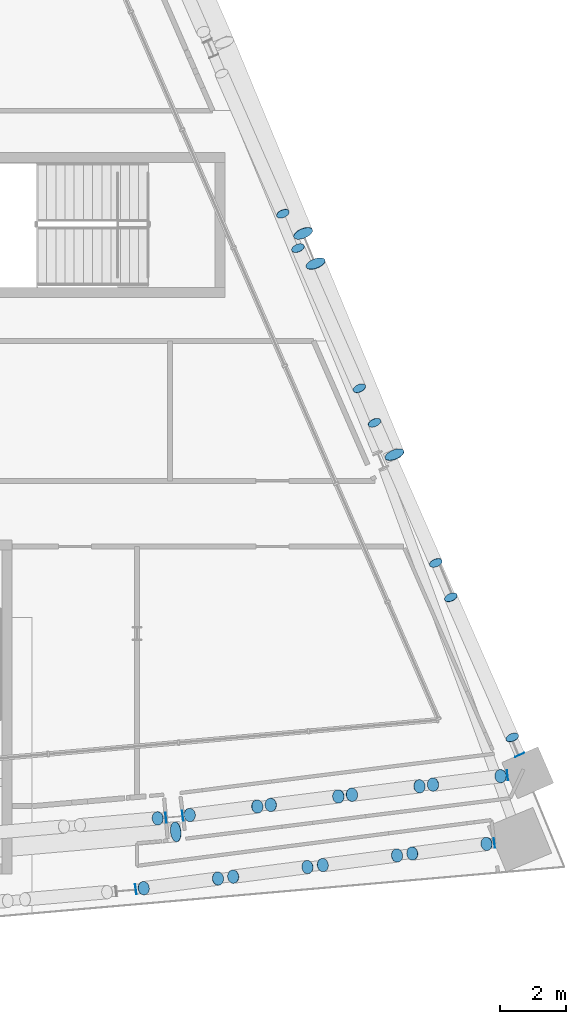
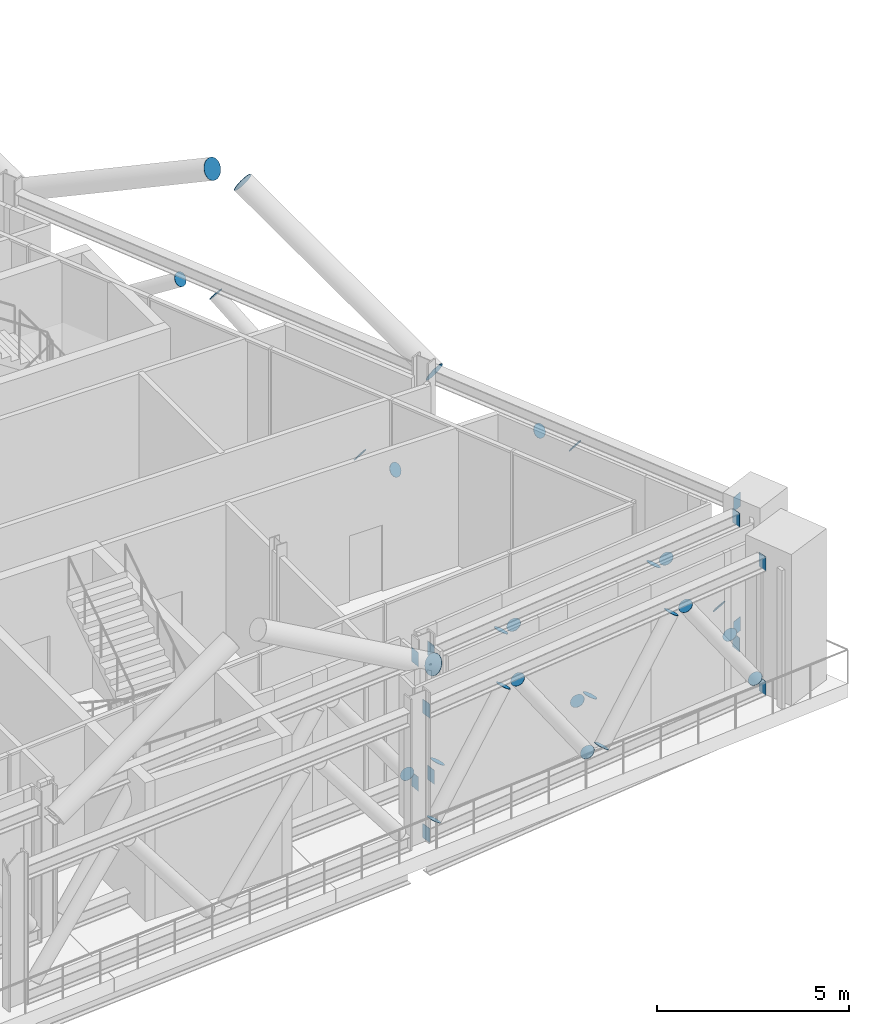
# One storey, part 28 of 35: 40 discrete accessories.
"""IFC4 building model written with IfcOpenShell, lengths in metres."""

from ifc_helpers import new_model, si_unit, direction, frame, origin, origin_2d, place, context, subcontext, project, spatial, rectangle, circle, extrude, material, material_profile, profile_set, type_object, element, save


model = new_model("IFC4")

# Units and contexts
model_context = context("Model", 3, precision=1e-05, world=origin(), true_north=direction((0.0, 1.0)))
body_context = subcontext(model_context, "Body", "Model", "MODEL_VIEW")
ifc_project = project(units=[si_unit("LENGTHUNIT", "METRE"), si_unit("AREAUNIT", "SQUARE_METRE"), si_unit("VOLUMEUNIT", "CUBIC_METRE"), si_unit("PLANEANGLEUNIT", "RADIAN"), si_unit("MASSUNIT", "GRAM", prefix="KILO")], contexts=[model_context])

# Site, building, storey
site_placement = place(None, origin())
site = spatial("IfcSite", under=ifc_project, at=site_placement, CompositionType="ELEMENT")
building_placement = place(site_placement, origin())
building = spatial("IfcBuilding", under=site, at=building_placement, Name="Wharfspan Tower", CompositionType="ELEMENT")
storey_placement = place(building_placement, frame((0.0, 0.0, 202.300049)))
storey = spatial("IfcBuildingStorey", under=building, at=storey_placement, Name="L50", CompositionType="ELEMENT", Elevation=202.300049)

# Discrete accessories
ifc_material_1 = material(Name="Steel S460NH", Category="steel")
ifc_material_profile_1 = material_profile(ifc_material_1, circle(Radius=0.203125, at=origin_2d()))
ifc_profile_set_1 = profile_set([ifc_material_profile_1], Name="Steel S460NH")
discrete_accessory_type_1 = type_object("IfcDiscreteAccessoryType", Name="End plate CHS 406x16", PredefinedType="BRACKET", material=ifc_profile_set_1)
discrete_accessory_1_placement = place(storey_placement, frame((72.625732, 5.878662, 0.569336), z_axis=(0.576018, 0.048002, -0.816026), x_axis=(-0.083046, 0.996542, 0.0)))
element("IfcDiscreteAccessory", 1, at=discrete_accessory_1_placement, inside=storey, type_object=discrete_accessory_type_1, Name="End plate CHS 406x16", PredefinedType="BRACKET", context=body_context, shape_type="SweptSolid", body=[
    extrude(circle(Radius=0.203125, at=origin_2d()), origin(), (0.0, 0.0, 1.0), 0.010254),
])
for number, where, z_axis, x_axis, name in (
    (2, (73.598145, 5.981201, 0.549805), (0.54259, 0.049326, 0.838548), (-0.090535, 0.995892, 0.0), "End plate CHS 406x16"),
    (3, (75.654053, 6.237793, 3.841797), (0.54259, 0.049326, 0.838548), (-0.090535, 0.995892, 0.0), "End plate CHS 406x16"),
    (4, (76.064941, 6.289062, 3.850098), (0.54259, 0.049326, -0.838548), (-0.090535, 0.995892, 0.0), "End plate CHS 406x16"),
):
    element("IfcDiscreteAccessory", number, at=place(storey_placement, frame(where, z_axis=z_axis, x_axis=x_axis)), inside=storey, type_object=discrete_accessory_type_1, Name=name, PredefinedType="BRACKET", context=body_context, shape_type="SweptSolid", body=[
        extrude(circle(Radius=0.203125, at=origin_2d()), origin(), (0.0, 0.0, 1.0), 0.01001),
    ])
for number, where, z_axis, x_axis, name in (
    (5, (78.12085, 6.545654, 0.558105), (0.524836, 0.049984, -0.849734), (-0.094807, 0.995498, 1e-06), "End plate CHS 406x16"),
    (6, (78.531738, 6.596924, 0.549805), (0.524836, 0.049984, 0.849734), (-0.094807, 0.995498, -1e-06), "End plate CHS 406x16"),
):
    element("IfcDiscreteAccessory", number, at=place(storey_placement, frame(where, z_axis=z_axis, x_axis=x_axis)), inside=storey, type_object=discrete_accessory_type_1, Name=name, PredefinedType="BRACKET", context=body_context, shape_type="SweptSolid", body=[
        extrude(circle(Radius=0.203125, at=origin_2d()), origin(), (0.0, 0.0, 1.0), 0.009766),
    ])
for number, where, z_axis, x_axis, name in (
    (7, (80.587402, 6.853516, 3.841797), (0.54259, 0.049326, 0.838548), (-0.090535, 0.995892, 0.0), "End plate CHS 406x16"),
    (8, (80.998291, 6.904785, 3.850098), (0.54259, 0.049326, -0.838548), (-0.090535, 0.995892, 0.0), "End plate CHS 406x16"),
):
    element("IfcDiscreteAccessory", number, at=place(storey_placement, frame(where, z_axis=z_axis, x_axis=x_axis)), inside=storey, type_object=discrete_accessory_type_1, Name=name, PredefinedType="BRACKET", context=body_context, shape_type="SweptSolid", body=[
        extrude(circle(Radius=0.203125, at=origin_2d()), origin(), (0.0, 0.0, 1.0), 0.01001),
    ])
discrete_accessory_2_placement = place(storey_placement, frame((83.054199, 7.161377, 0.558105), z_axis=(0.524836, 0.049984, -0.849734), x_axis=(-0.094807, 0.995498, 1e-06)))
element("IfcDiscreteAccessory", 9, at=discrete_accessory_2_placement, inside=storey, type_object=discrete_accessory_type_1, Name="End plate CHS 406x16", PredefinedType="BRACKET", context=body_context, shape_type="SweptSolid", body=[
    extrude(circle(Radius=0.203125, at=origin_2d()), origin(), (0.0, 0.0, 1.0), 0.009766),
])
for number, where, z_axis, x_axis, name in (
    (10, (83.414062, 8.334961, 0.612305), (-0.319169, 0.761094, 0.564683), (-0.92219, -0.386727, 2e-06), "End plate CHS 406x16"),
    (11, (81.548096, 12.596191, 3.781982), (-0.340957, 0.754976, 0.560143), (-0.911372, -0.411586, -2e-06), "End plate CHS 406x16"),
    (12, (81.088623, 13.64502, 3.787598), (-0.319169, 0.761094, -0.564683), (-0.92219, -0.386727, -2e-06), "End plate CHS 406x16"),
    (13, (79.222656, 17.906494, 0.61792), (-0.340957, 0.754976, -0.560143), (-0.911372, -0.411586, 2e-06), "End plate CHS 406x16"),
    (14, (78.763428, 18.955322, 0.612305), (-0.340957, 0.754976, 0.560143), (-0.911372, -0.411586, -2e-06), "End plate CHS 406x16"),
    (15, (76.897217, 23.216553, 3.781982), (-0.319169, 0.761094, 0.564683), (-0.92219, -0.386727, 2e-06), "End plate CHS 406x16"),
    (16, (76.437988, 24.265381, 3.787598), (-0.340957, 0.754976, -0.560143), (-0.911372, -0.411586, 2e-06), "End plate CHS 406x16"),
    (17, (72.198975, 3.75415, 0.557617), (0.558819, 0.072889, 0.82608), (-0.129337, 0.991601, -1e-06), "End plate CHS 406x16"),
    (18, (74.457764, 4.045898, 3.833984), (0.558819, 0.072889, 0.82608), (-0.129337, 0.991601, -1e-06), "End plate CHS 406x16"),
):
    element("IfcDiscreteAccessory", number, at=place(storey_placement, frame(where, z_axis=z_axis, x_axis=x_axis)), inside=storey, type_object=discrete_accessory_type_1, Name=name, PredefinedType="BRACKET", context=body_context, shape_type="SweptSolid", body=[
        extrude(circle(Radius=0.203125, at=origin_2d()), origin(), (0.0, 0.0, 1.0), 0.01001),
    ])
discrete_accessory_3_placement = place(storey_placement, frame((74.922119, 4.105957, 3.842285), z_axis=(0.575191, 0.071899, -0.814853), x_axis=(-0.124036, 0.992275, -1e-06)))
element("IfcDiscreteAccessory", 19, at=discrete_accessory_3_placement, inside=storey, type_object=discrete_accessory_type_1, Name="End plate CHS 406x16", PredefinedType="BRACKET", context=body_context, shape_type="SweptSolid", body=[
    extrude(circle(Radius=0.203125, at=origin_2d()), origin(), (0.0, 0.0, 1.0), 0.010254),
])
discrete_accessory_4_placement = place(storey_placement, frame((77.180908, 4.397461, 0.565918), z_axis=(0.558819, 0.072889, -0.82608), x_axis=(-0.129337, 0.991601, 1e-06)))
element("IfcDiscreteAccessory", 20, at=discrete_accessory_4_placement, inside=storey, type_object=discrete_accessory_type_1, Name="End plate CHS 406x16", PredefinedType="BRACKET", context=body_context, shape_type="SweptSolid", body=[
    extrude(circle(Radius=0.203125, at=origin_2d()), origin(), (0.0, 0.0, 1.0), 0.01001),
])
discrete_accessory_5_placement = place(storey_placement, frame((77.645264, 4.45752, 0.557617), z_axis=(0.575191, 0.071899, 0.814853), x_axis=(-0.124036, 0.992275, 1e-06)))
element("IfcDiscreteAccessory", 21, at=discrete_accessory_5_placement, inside=storey, type_object=discrete_accessory_type_1, Name="End plate CHS 406x16", PredefinedType="BRACKET", context=body_context, shape_type="SweptSolid", body=[
    extrude(circle(Radius=0.203125, at=origin_2d()), origin(), (0.0, 0.0, 1.0), 0.010254),
])
discrete_accessory_6_placement = place(storey_placement, frame((79.904053, 4.749268, 3.833984), z_axis=(0.558819, 0.072889, 0.82608), x_axis=(-0.129337, 0.991601, -1e-06)))
element("IfcDiscreteAccessory", 22, at=discrete_accessory_6_placement, inside=storey, type_object=discrete_accessory_type_1, Name="End plate CHS 406x16", PredefinedType="BRACKET", context=body_context, shape_type="SweptSolid", body=[
    extrude(circle(Radius=0.203125, at=origin_2d()), origin(), (0.0, 0.0, 1.0), 0.01001),
])
discrete_accessory_7_placement = place(storey_placement, frame((80.368408, 4.809326, 3.842285), z_axis=(0.575191, 0.071899, -0.814853), x_axis=(-0.124036, 0.992275, -1e-06)))
element("IfcDiscreteAccessory", 23, at=discrete_accessory_7_placement, inside=storey, type_object=discrete_accessory_type_1, Name="End plate CHS 406x16", PredefinedType="BRACKET", context=body_context, shape_type="SweptSolid", body=[
    extrude(circle(Radius=0.203125, at=origin_2d()), origin(), (0.0, 0.0, 1.0), 0.010254),
])
discrete_accessory_8_placement = place(storey_placement, frame((82.627197, 5.10083, 0.565918), z_axis=(0.558819, 0.072889, -0.82608), x_axis=(-0.129337, 0.991601, 1e-06)))
element("IfcDiscreteAccessory", 24, at=discrete_accessory_8_placement, inside=storey, type_object=discrete_accessory_type_1, Name="End plate CHS 406x16", PredefinedType="BRACKET", context=body_context, shape_type="SweptSolid", body=[
    extrude(circle(Radius=0.203125, at=origin_2d()), origin(), (0.0, 0.0, 1.0), 0.01001),
])
ifc_material_profile_2 = material_profile(ifc_material_1, circle(Radius=0.304932, at=origin_2d()))
ifc_profile_set_2 = profile_set([ifc_material_profile_2], Name="Steel S460NH")
discrete_accessory_type_2 = type_object("IfcDiscreteAccessoryType", Name="End plate CHS 610x25", PredefinedType="BRACKET", material=ifc_profile_set_2)
for number, where, z_axis, x_axis, name in (
    (25, (73.183594, 5.470947, 4.094727), (-0.853405, -0.097532, 0.512043), (0.113547, -0.993531, 1e-06), "End plate CHS 610x25"),
    (26, (79.830322, 16.934814, 4.095215), (-0.338259, 0.821486, 0.459066), (-0.924676, -0.380749, 0.0), "End plate CHS 610x25"),
    (27, (77.431885, 22.744141, 7.432617), (-0.316603, 0.828038, 0.462727), (-0.934054, -0.357138, -1e-06), "End plate CHS 610x25"),
    (28, (77.047607, 23.675049, 7.432617), (0.345075, -0.81339, 0.468316), (0.920586, 0.390551, -2e-06), "End plate CHS 610x25"),
):
    element("IfcDiscreteAccessory", number, at=place(storey_placement, frame(where, z_axis=z_axis, x_axis=x_axis)), inside=storey, type_object=discrete_accessory_type_2, Name=name, PredefinedType="BRACKET", context=body_context, shape_type="SweptSolid", body=[
        extrude(circle(Radius=0.304932, at=origin_2d()), origin(), (0.0, 0.0, 1.0), 0.01001),
    ])
ifc_material_2 = material(Name="Steel S355J2", Category="steel")
ifc_material_profile_3 = material_profile(ifc_material_2, rectangle(XDim=0.300049, YDim=0.449951, at=origin_2d()))
ifc_profile_set_3 = profile_set([ifc_material_profile_3], Name="Steel S355J2")
discrete_accessory_type_3 = type_object("IfcDiscreteAccessoryType", Name="End plate HEB 450", PredefinedType="BRACKET", material=ifc_profile_set_3)
for number, where, z_axis, x_axis, name in (
    (29, (72.874268, 5.900391, 4.175049), (0.995275, 0.0971, 0.0), (-0.0971, 0.995275, 0.0), "End plate HEB 450"),
    (30, (72.874268, 5.900391, 0.224854), (0.995275, 0.0971, 0.0), (-0.0971, 0.995275, 0.0), "End plate HEB 450"),
    (31, (73.385498, 5.95459, 4.175049), (0.992646, 0.121054, 0.0), (-0.121054, 0.992646, 0.0), "End plate HEB 450"),
    (32, (83.262207, 7.187256, 4.175049), (0.992646, 0.121054, 0.0), (-0.121054, 0.992646, 0.0), "End plate HEB 450"),
    (33, (73.385498, 5.95459, 0.224854), (0.992646, 0.121054, 0.0), (-0.121054, 0.992646, 0.0), "End plate HEB 450"),
    (34, (83.262207, 7.187256, 0.224854), (0.992646, 0.121054, 0.0), (-0.121054, 0.992646, 0.0), "End plate HEB 450"),
    (35, (83.64624, 7.805176, 4.175049), (-0.4175, 0.908677, 0.0), (-0.908677, -0.4175, 0.0), "End plate HEB 450"),
    (36, (83.64624, 7.805176, 0.224854), (-0.4175, 0.908677, 0.0), (-0.908677, -0.4175, 0.0), "End plate HEB 450"),
    (37, (71.959717, 3.723145, 4.175049), (0.989461, 0.144799, 0.0), (-0.144799, 0.989461, 0.0), "End plate HEB 450"),
):
    element("IfcDiscreteAccessory", number, at=place(storey_placement, frame(where, z_axis=z_axis, x_axis=x_axis)), inside=storey, type_object=discrete_accessory_type_3, Name=name, PredefinedType="BRACKET", context=body_context, shape_type="SweptSolid", body=[
        extrude(rectangle(XDim=0.300049, YDim=0.449951, at=origin_2d()), origin(), (0.0, 0.0, 1.0), 0.01001),
    ])
discrete_accessory_9_placement = place(storey_placement, frame((82.862305, 5.131348, 4.175049), z_axis=(0.992278, 0.124035, 0.0), x_axis=(-0.124035, 0.992278, 0.0)))
element("IfcDiscreteAccessory", 38, at=discrete_accessory_9_placement, inside=storey, type_object=discrete_accessory_type_3, Name="End plate HEB 450", PredefinedType="BRACKET", context=body_context, shape_type="SweptSolid", body=[
    extrude(rectangle(XDim=0.300049, YDim=0.449951, at=origin_2d()), origin(), (0.0, 0.0, 1.0), 0.009766),
])
discrete_accessory_10_placement = place(storey_placement, frame((71.959717, 3.723145, 0.224854), z_axis=(0.989461, 0.144799, 0.0), x_axis=(-0.144799, 0.989461, 0.0)))
element("IfcDiscreteAccessory", 39, at=discrete_accessory_10_placement, inside=storey, type_object=discrete_accessory_type_3, Name="End plate HEB 450", PredefinedType="BRACKET", context=body_context, shape_type="SweptSolid", body=[
    extrude(rectangle(XDim=0.300049, YDim=0.449951, at=origin_2d()), origin(), (0.0, 0.0, 1.0), 0.01001),
])
discrete_accessory_11_placement = place(storey_placement, frame((82.862305, 5.131348, 0.224854), z_axis=(0.992278, 0.124035, 0.0), x_axis=(-0.124035, 0.992278, 0.0)))
element("IfcDiscreteAccessory", 40, at=discrete_accessory_11_placement, inside=storey, type_object=discrete_accessory_type_3, Name="End plate HEB 450", PredefinedType="BRACKET", context=body_context, shape_type="SweptSolid", body=[
    extrude(rectangle(XDim=0.300049, YDim=0.449951, at=origin_2d()), origin(), (0.0, 0.0, 1.0), 0.009766),
])

save(model, "model.ifc")
